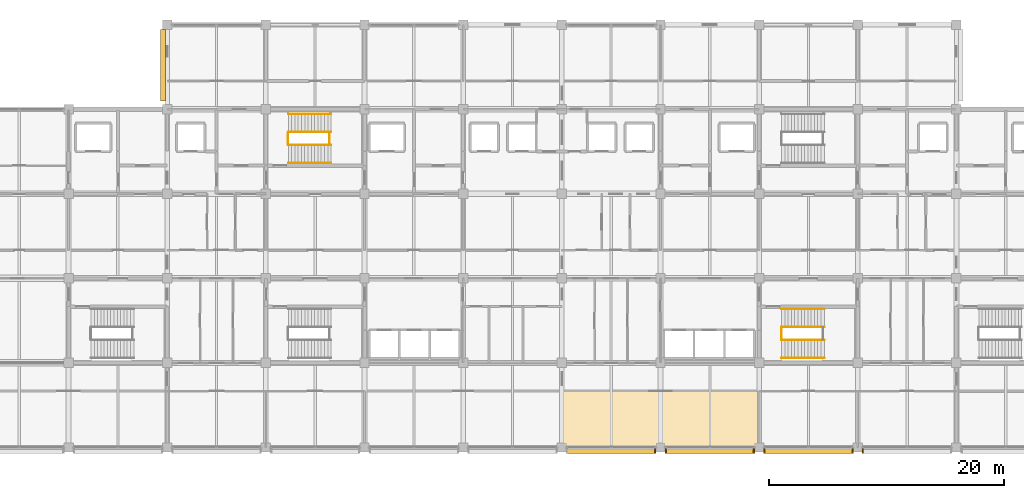
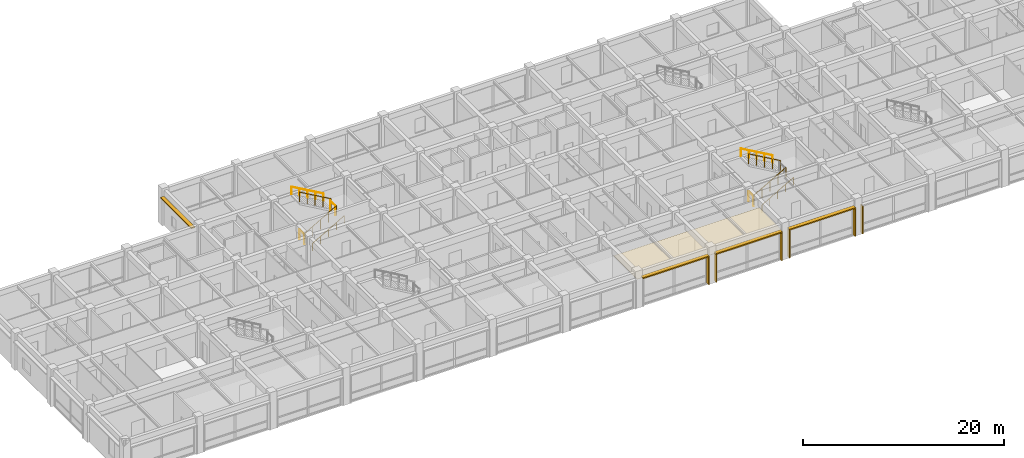
# One storey, part 29 of 30: 11 railings, 10 shading devices, 1 covering.
"""IFC4 building model written with IfcOpenShell, lengths in metres."""

from ifc_helpers import new_model, si_unit, direction, frame, origin, origin_2d, place, context, subcontext, project, spatial, polyline, rectangle, circle, outline, extrude, material, layer, layer_set, type_object, element, save


model = new_model("IFC4")

# Units and contexts
model_context = context("Model", 3, precision=1e-05, world=origin(), true_north=direction((0.0, 1.0)))
body_context = subcontext(model_context, "Body", "Model", "MODEL_VIEW")
ifc_project = project(units=[si_unit("LENGTHUNIT", "METRE"), si_unit("AREAUNIT", "SQUARE_METRE"), si_unit("VOLUMEUNIT", "CUBIC_METRE"), si_unit("PLANEANGLEUNIT", "RADIAN"), si_unit("MASSUNIT", "GRAM", prefix="KILO")], contexts=[model_context])

# Site, building, storey
site_placement = place(None, origin())
site = spatial("IfcSite", under=ifc_project, at=site_placement, CompositionType="ELEMENT")
building_placement = place(site_placement, origin())
building = spatial("IfcBuilding", under=site, at=building_placement, Name="Chengyuan Square Courthouse", CompositionType="ELEMENT")
storey_placement = place(building_placement, frame((0.0, 0.0, 30.60009765625)))
storey = spatial("IfcBuildingStorey", under=building, at=storey_placement, Name="L07", CompositionType="ELEMENT", Elevation=30.60009765625)

# Covering
ifc_material_1 = material(Name="Perforated Larch Glulam Acoustic Slat Ceiling", Category="wood")
ifc_layer = layer(ifc_material_1, 0.044921875)
ifc_layer_set = layer_set([ifc_layer], Name="Perforated Larch Glulam Acoustic Slat Ceiling")
covering_type = type_object("IfcCoveringType", Name="CLG-01", PredefinedType="CEILING", material=ifc_layer_set)
covering_placement = place(storey_placement, frame((0.0, 0.0, 3.139892578125)))
element("IfcCovering", 1, at=covering_placement, inside=storey, type_object=covering_type, Name="Acoustic Timber Slat Ceiling CLG-L07-CRT-M4", PredefinedType="CEILING", context=body_context, shape_type="SweptSolid", body=[
    extrude(outline(polyline([(84.050048828125, 79.25), (100.75, 79.25), (100.75, 83.949951171875), (84.050048828125, 83.949951171875), (84.050048828125, 79.25)])), origin(), (0.0, 0.0, 1.0), 0.044921875),
])

# Railings
ifc_material_2 = material(Name="Tempered Glass and Timber Top-Rail Balustrade", Category="wood")
railing_type_1 = type_object("IfcRailingType", Name="RL-02", PredefinedType="BALUSTRADE", material=ifc_material_2)
for number, where, name in (
    (2, (60.68994140625, 105.0, 0.0), "Stair Floor Slot Guard ST-1 L07"),
    (3, (64.22998046875, 105.0, 2.25), "Stair Landing Guard ST-1-L07"),
):
    element("IfcRailing", number, at=place(storey_placement, frame(where)), inside=storey, type_object=railing_type_1, Name=name, PredefinedType="BALUSTRADE", context=body_context, shape_type="SweptSolid", body=[
        extrude(circle(Radius=0.02392578125, at=origin_2d()), frame((0.0, 0.0, 1.17578125), z_axis=(0.0, 1.0, 0.0), x_axis=(-1.0, 0.0, 0.0)), (0.0, 0.0, 1.0), 1.0),
        extrude(circle(Radius=0.02099609375, at=origin_2d()), origin(), (0.0, 0.0, 1.0), 1.15185546875),
        extrude(circle(Radius=0.02099609375, at=origin_2d()), frame((0.0, 1.0, 0.0)), (0.0, 0.0, 1.0), 1.15185546875),
    ])
railing_1_placement = place(storey_placement, frame((60.7099609375, 104.949951171875, 0.16064453125)))
element("IfcRailing", 4, at=railing_1_placement, inside=storey, type_object=railing_type_1, Name="Stair Flight 1 Guard ST-1-L07", PredefinedType="BALUSTRADE", context=body_context, shape_type="SweptSolid", body=[
    extrude(circle(Radius=0.02392578125, at=origin_2d()), frame((0.0, 0.0, 1.17578125), z_axis=(0.867289372828, 0.0, 0.497804322781), x_axis=(0.0, 1.0, 0.0)), (0.0, 0.0, 1.0), 4.197021484375),
    extrude(circle(Radius=0.02099609375, at=origin_2d()), origin(), (0.0, 0.0, 1.0), 1.15185546875),
    extrude(circle(Radius=0.02099609375, at=origin_2d()), frame((0.91015625, 0.0, 0.5224609375)), (0.0, 0.0, 1.0), 1.15185546875),
    extrude(circle(Radius=0.02099609375, at=origin_2d()), frame((1.820068359375, 0.0, 1.044677734375)), (0.0, 0.0, 1.0), 1.15185546875),
    extrude(circle(Radius=0.02099609375, at=origin_2d()), frame((2.72998046875, 0.0, 1.56689453125)), (0.0, 0.0, 1.0), 1.15185546875),
    extrude(circle(Radius=0.02099609375, at=origin_2d()), frame((3.64013671875, 0.0, 2.08935546875)), (0.0, 0.0, 1.0), 1.15185546875),
])
railing_2_placement = place(storey_placement, frame((64.35009765625, 106.050048828125, 2.41064453125)))
element("IfcRailing", 5, at=railing_2_placement, inside=storey, type_object=railing_type_1, Name="Stair Flight 2 Guard ST-1-L07", PredefinedType="BALUSTRADE", context=body_context, shape_type="SweptSolid", body=[
    extrude(circle(Radius=0.02392578125, at=origin_2d()), frame((0.0, 0.0, 1.17578125), z_axis=(-0.867289372828, 0.0, 0.497804322781), x_axis=(0.0, -1.0, 0.0)), (0.0, 0.0, 1.0), 4.197021484375),
    extrude(circle(Radius=0.02099609375, at=origin_2d()), origin(), (0.0, 0.0, 1.0), 1.15185546875),
    extrude(circle(Radius=0.02099609375, at=origin_2d()), frame((-0.91015625, 0.0, 0.5224609375)), (0.0, 0.0, 1.0), 1.15185546875),
    extrude(circle(Radius=0.02099609375, at=origin_2d()), frame((-1.820068359375, 0.0, 1.044677734375)), (0.0, 0.0, 1.0), 1.15185546875),
    extrude(circle(Radius=0.02099609375, at=origin_2d()), frame((-2.72998046875, 0.0, 1.56689453125)), (0.0, 0.0, 1.0), 1.15185546875),
    extrude(circle(Radius=0.02099609375, at=origin_2d()), frame((-3.64013671875, 0.0, 2.08935546875)), (0.0, 0.0, 1.0), 1.15185546875),
])
railing_3_placement = place(storey_placement, frame((102.68994140625, 88.39990234375, 0.0)))
element("IfcRailing", 6, at=railing_3_placement, inside=storey, type_object=railing_type_1, Name="Stair Floor Slot Guard ST-4 L07", PredefinedType="BALUSTRADE", context=body_context, shape_type="SweptSolid", body=[
    extrude(circle(Radius=0.02392578125, at=origin_2d()), frame((0.0, 0.0, 1.17578125), z_axis=(0.0, 1.0, 0.0), x_axis=(-1.0, 0.0, 0.0)), (0.0, 0.0, 1.0), 1.0),
    extrude(circle(Radius=0.02099609375, at=origin_2d()), origin(), (0.0, 0.0, 1.0), 1.15185546875),
    extrude(circle(Radius=0.02099609375, at=origin_2d()), frame((0.0, 1.0, 0.0)), (0.0, 0.0, 1.0), 1.15185546875),
])
railing_4_placement = place(storey_placement, frame((102.7099609375, 88.35009765625, 0.16064453125)))
element("IfcRailing", 7, at=railing_4_placement, inside=storey, type_object=railing_type_1, Name="Stair Flight 1 Guard ST-4-L07", PredefinedType="BALUSTRADE", context=body_context, shape_type="SweptSolid", body=[
    extrude(circle(Radius=0.02392578125, at=origin_2d()), frame((0.0, 0.0, 1.17578125), z_axis=(0.867289372828, 0.0, 0.497804322781), x_axis=(0.0, 1.0, 0.0)), (0.0, 0.0, 1.0), 4.197021484375),
    extrude(circle(Radius=0.02099609375, at=origin_2d()), origin(), (0.0, 0.0, 1.0), 1.15185546875),
    extrude(circle(Radius=0.02099609375, at=origin_2d()), frame((0.91015625, 0.0, 0.5224609375)), (0.0, 0.0, 1.0), 1.15185546875),
    extrude(circle(Radius=0.02099609375, at=origin_2d()), frame((1.820068359375, 0.0, 1.044677734375)), (0.0, 0.0, 1.0), 1.15185546875),
    extrude(circle(Radius=0.02099609375, at=origin_2d()), frame((2.72998046875, 0.0, 1.56689453125)), (0.0, 0.0, 1.0), 1.15185546875),
    extrude(circle(Radius=0.02099609375, at=origin_2d()), frame((3.64013671875, 0.0, 2.08935546875)), (0.0, 0.0, 1.0), 1.15185546875),
])
railing_5_placement = place(storey_placement, frame((106.35009765625, 89.449951171875, 2.41064453125)))
element("IfcRailing", 8, at=railing_5_placement, inside=storey, type_object=railing_type_1, Name="Stair Flight 2 Guard ST-4-L07", PredefinedType="BALUSTRADE", context=body_context, shape_type="SweptSolid", body=[
    extrude(circle(Radius=0.02392578125, at=origin_2d()), frame((0.0, 0.0, 1.17578125), z_axis=(-0.867289372828, 0.0, 0.497804322781), x_axis=(0.0, -1.0, 0.0)), (0.0, 0.0, 1.0), 4.197021484375),
    extrude(circle(Radius=0.02099609375, at=origin_2d()), origin(), (0.0, 0.0, 1.0), 1.15185546875),
    extrude(circle(Radius=0.02099609375, at=origin_2d()), frame((-0.91015625, 0.0, 0.5224609375)), (0.0, 0.0, 1.0), 1.15185546875),
    extrude(circle(Radius=0.02099609375, at=origin_2d()), frame((-1.820068359375, 0.0, 1.044677734375)), (0.0, 0.0, 1.0), 1.15185546875),
    extrude(circle(Radius=0.02099609375, at=origin_2d()), frame((-2.72998046875, 0.0, 1.56689453125)), (0.0, 0.0, 1.0), 1.15185546875),
    extrude(circle(Radius=0.02099609375, at=origin_2d()), frame((-3.64013671875, 0.0, 2.08935546875)), (0.0, 0.0, 1.0), 1.15185546875),
])
ifc_material_3 = material(Name="Stainless Steel S30408 Stair Handrail", Category="steel")
railing_type_2 = type_object("IfcRailingType", Name="RL-04", PredefinedType="HANDRAIL", material=ifc_material_3)
railing_6_placement = place(storey_placement, frame((60.7099609375, 103.419921875, 0.16064453125)))
element("IfcRailing", 9, at=railing_6_placement, inside=storey, type_object=railing_type_2, Name="Stair Flight 1 Handrail ST-1-L07", PredefinedType="HANDRAIL", context=body_context, shape_type="SweptSolid", body=[
    extrude(circle(Radius=0.02392578125, at=origin_2d()), frame((0.0, 0.0, 0.8759765625), z_axis=(0.867289372828, 0.0, 0.497804322781), x_axis=(0.0, 1.0, 0.0)), (0.0, 0.0, 1.0), 4.197021484375),
    extrude(circle(Radius=0.02099609375, at=origin_2d()), origin(), (0.0, 0.0, 1.0), 0.851806640625),
    extrude(circle(Radius=0.02099609375, at=origin_2d()), frame((0.91015625, 0.0, 0.5224609375)), (0.0, 0.0, 1.0), 0.851806640625),
    extrude(circle(Radius=0.02099609375, at=origin_2d()), frame((1.820068359375, 0.0, 1.044677734375)), (0.0, 0.0, 1.0), 0.851806640625),
    extrude(circle(Radius=0.02099609375, at=origin_2d()), frame((2.72998046875, 0.0, 1.56689453125)), (0.0, 0.0, 1.0), 0.851806640625),
    extrude(circle(Radius=0.02099609375, at=origin_2d()), frame((3.64013671875, 0.0, 2.08935546875)), (0.0, 0.0, 1.0), 0.851806640625),
])
railing_7_placement = place(storey_placement, frame((64.35009765625, 107.580078125, 2.41064453125)))
element("IfcRailing", 10, at=railing_7_placement, inside=storey, type_object=railing_type_2, Name="Stair Flight 2 Handrail ST-1-L07", PredefinedType="HANDRAIL", context=body_context, shape_type="SweptSolid", body=[
    extrude(circle(Radius=0.02392578125, at=origin_2d()), frame((0.0, 0.0, 0.8759765625), z_axis=(-0.867289372828, 0.0, 0.497804322781), x_axis=(0.0, -1.0, 0.0)), (0.0, 0.0, 1.0), 4.197021484375),
    extrude(circle(Radius=0.02099609375, at=origin_2d()), origin(), (0.0, 0.0, 1.0), 0.851806640625),
    extrude(circle(Radius=0.02099609375, at=origin_2d()), frame((-0.91015625, 0.0, 0.5224609375)), (0.0, 0.0, 1.0), 0.851806640625),
    extrude(circle(Radius=0.02099609375, at=origin_2d()), frame((-1.820068359375, 0.0, 1.044677734375)), (0.0, 0.0, 1.0), 0.851806640625),
    extrude(circle(Radius=0.02099609375, at=origin_2d()), frame((-2.72998046875, 0.0, 1.56689453125)), (0.0, 0.0, 1.0), 0.851806640625),
    extrude(circle(Radius=0.02099609375, at=origin_2d()), frame((-3.64013671875, 0.0, 2.08935546875)), (0.0, 0.0, 1.0), 0.851806640625),
])
railing_8_placement = place(storey_placement, frame((102.7099609375, 86.820068359375, 0.16064453125)))
element("IfcRailing", 11, at=railing_8_placement, inside=storey, type_object=railing_type_2, Name="Stair Flight 1 Handrail ST-4-L07", PredefinedType="HANDRAIL", context=body_context, shape_type="SweptSolid", body=[
    extrude(circle(Radius=0.02392578125, at=origin_2d()), frame((0.0, 0.0, 0.8759765625), z_axis=(0.867289372828, 0.0, 0.497804322781), x_axis=(0.0, 1.0, 0.0)), (0.0, 0.0, 1.0), 4.197021484375),
    extrude(circle(Radius=0.02099609375, at=origin_2d()), origin(), (0.0, 0.0, 1.0), 0.851806640625),
    extrude(circle(Radius=0.02099609375, at=origin_2d()), frame((0.91015625, 0.0, 0.5224609375)), (0.0, 0.0, 1.0), 0.851806640625),
    extrude(circle(Radius=0.02099609375, at=origin_2d()), frame((1.820068359375, 0.0, 1.044677734375)), (0.0, 0.0, 1.0), 0.851806640625),
    extrude(circle(Radius=0.02099609375, at=origin_2d()), frame((2.72998046875, 0.0, 1.56689453125)), (0.0, 0.0, 1.0), 0.851806640625),
    extrude(circle(Radius=0.02099609375, at=origin_2d()), frame((3.64013671875, 0.0, 2.08935546875)), (0.0, 0.0, 1.0), 0.851806640625),
])
railing_9_placement = place(storey_placement, frame((106.35009765625, 90.97998046875, 2.41064453125)))
element("IfcRailing", 12, at=railing_9_placement, inside=storey, type_object=railing_type_2, Name="Stair Flight 2 Handrail ST-4-L07", PredefinedType="HANDRAIL", context=body_context, shape_type="SweptSolid", body=[
    extrude(circle(Radius=0.02392578125, at=origin_2d()), frame((0.0, 0.0, 0.8759765625), z_axis=(-0.867289372828, 0.0, 0.497804322781), x_axis=(0.0, -1.0, 0.0)), (0.0, 0.0, 1.0), 4.197021484375),
    extrude(circle(Radius=0.02099609375, at=origin_2d()), origin(), (0.0, 0.0, 1.0), 0.851806640625),
    extrude(circle(Radius=0.02099609375, at=origin_2d()), frame((-0.91015625, 0.0, 0.5224609375)), (0.0, 0.0, 1.0), 0.851806640625),
    extrude(circle(Radius=0.02099609375, at=origin_2d()), frame((-1.820068359375, 0.0, 1.044677734375)), (0.0, 0.0, 1.0), 0.851806640625),
    extrude(circle(Radius=0.02099609375, at=origin_2d()), frame((-2.72998046875, 0.0, 1.56689453125)), (0.0, 0.0, 1.0), 0.851806640625),
    extrude(circle(Radius=0.02099609375, at=origin_2d()), frame((-3.64013671875, 0.0, 2.08935546875)), (0.0, 0.0, 1.0), 0.851806640625),
])

# Shading devices
ifc_material_4 = material(Name="Glulam TCt28 Solar Shading Fin", Category="wood")
shading_device_type_1 = type_object("IfcShadingDeviceType", Name="SHD-01", PredefinedType="JALOUSIE", material=ifc_material_4)
for number, where, z_axis, x_axis, name in (
    (13, (91.965087890625, 78.89794921875, 0.0400390625), (0.0, 0.0, 1.0), (0.0, 1.0, 0.0), "Glulam Solar Fin SHD-L07-0658"),
    (14, (92.8349609375, 78.89794921875, 0.0400390625), (0.0, 0.0, 1.0), (0.0, 1.0, 0.0), "Glulam Solar Fin SHD-L07-0660"),
    (15, (100.364990234375, 78.89794921875, 0.0400390625), (0.0, 0.0, 1.0), (0.0, 1.0, 0.0), "Glulam Solar Fin SHD-L07-0661"),
    (16, (101.235107421875, 78.89794921875, 0.0400390625), (0.0, 0.0, 1.0), (0.0, 1.0, 0.0), "Glulam Solar Fin SHD-L07-0663"),
    (17, (108.764892578125, 78.89794921875, 0.0400390625), (0.0, 0.0, 1.0), (0.0, 1.0, 0.0), "Glulam Solar Fin SHD-L07-0664"),
    (18, (109.635009765625, 78.89794921875, 0.0400390625), (0.0, 0.0, 1.0), (0.0, 1.0, 0.0), "Glulam Solar Fin SHD-L07-0666"),
):
    element("IfcShadingDevice", number, at=place(storey_placement, frame(where, z_axis=z_axis, x_axis=x_axis)), inside=storey, type_object=shading_device_type_1, Name=name, PredefinedType="JALOUSIE", context=body_context, shape_type="SweptSolid", body=[
        extrude(rectangle(XDim=0.419921875, YDim=0.094970703125, at=origin_2d()), origin(), (0.0, 0.0, 1.0), 3.3798828125),
    ])
ifc_material_5 = material(Name="Glulam TCt28 Sunshade Louvre", Category="wood")
shading_device_type_2 = type_object("IfcShadingDeviceType", Name="SHD-02", PredefinedType="AWNING", material=ifc_material_5)
for number, where, z_axis, x_axis, name in (
    (19, (88.199951171875, 78.89794921875, 3.419921875), (0.0, 0.0, 1.0), (1.0, 0.0, 0.0), "Glulam Sunshade Louvre SHD-L07-0659"),
    (20, (96.60009765625, 78.89794921875, 3.419921875), (0.0, 0.0, 1.0), (1.0, 0.0, 0.0), "Glulam Sunshade Louvre SHD-L07-0662"),
    (21, (105.0, 78.89794921875, 3.419921875), (0.0, 0.0, 1.0), (1.0, 0.0, 0.0), "Glulam Sunshade Louvre SHD-L07-0665"),
):
    element("IfcShadingDevice", number, at=place(storey_placement, frame(where, z_axis=z_axis, x_axis=x_axis)), inside=storey, type_object=shading_device_type_2, Name=name, PredefinedType="AWNING", context=body_context, shape_type="SweptSolid", body=[
        extrude(rectangle(XDim=7.60009765625, YDim=0.43994140625, at=origin_2d()), origin(), (0.0, 0.0, 1.0), 0.139892578125),
    ])
ifc_material_6 = material(Name="Glulam TCt28 Facade Sunshade", Category="wood")
shading_device_type_3 = type_object("IfcShadingDeviceType", Name="SHD-03", PredefinedType="AWNING", material=ifc_material_6)
shading_device_placement = place(storey_placement, frame((50.032958984375, 111.75, 3.39990234375), z_axis=(0.0, 0.0, 1.0), x_axis=(0.0, 1.0, 0.0)))
element("IfcShadingDevice", 22, at=shading_device_placement, inside=storey, type_object=shading_device_type_3, Name="Glulam Facade Sunshade SHD-L07-0647", PredefinedType="AWNING", context=body_context, shape_type="SweptSolid", body=[
    extrude(rectangle(XDim=6.110107421875, YDim=0.39990234375, at=origin_2d()), origin(), (0.0, 0.0, 1.0), 0.139892578125),
])

save(model, "model.ifc")
